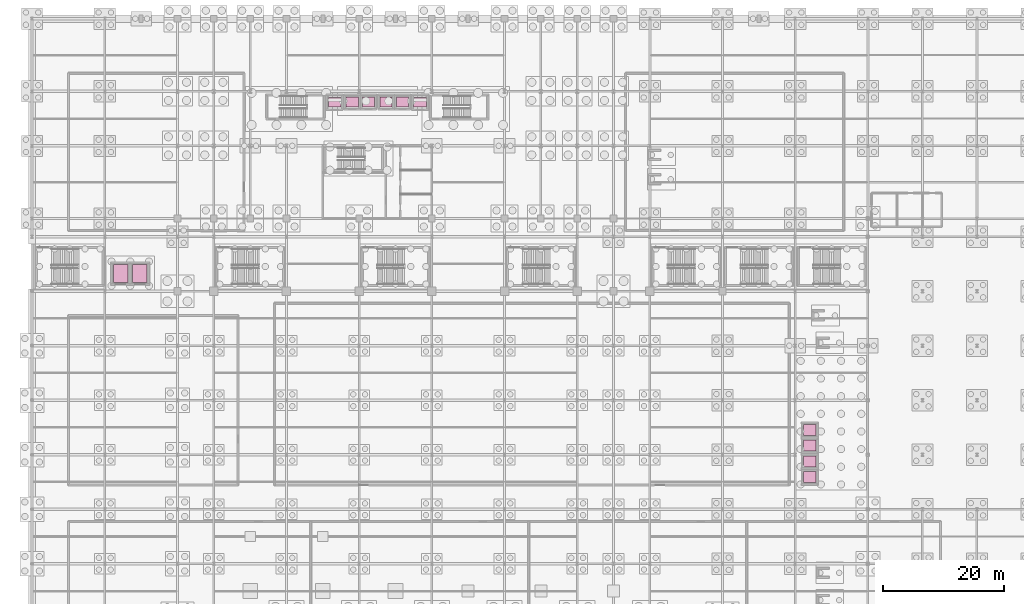
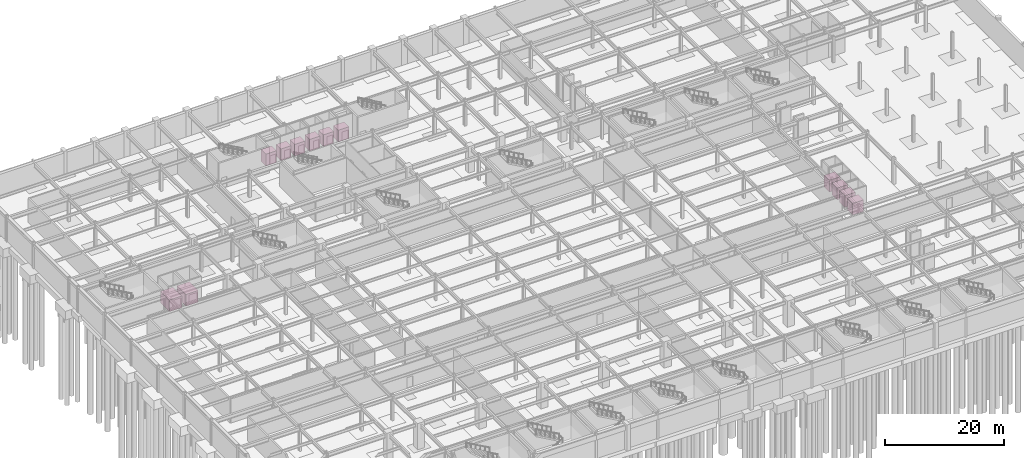
# One storey, part 47 of 47: 12 transport elements.
"""IFC4 building model written with IfcOpenShell, lengths in metres."""

from ifc_helpers import new_model, si_unit, direction, frame, origin, origin_2d, place, context, subcontext, project, spatial, rectangle, extrude, material, type_object, element, save


model = new_model("IFC4")

# Units and contexts
model_context = context("Model", 3, precision=1e-05, world=origin(), true_north=direction((0.0, 1.0)))
body_context = subcontext(model_context, "Body", "Model", "MODEL_VIEW")
ifc_project = project(units=[si_unit("LENGTHUNIT", "METRE"), si_unit("AREAUNIT", "SQUARE_METRE"), si_unit("VOLUMEUNIT", "CUBIC_METRE"), si_unit("PLANEANGLEUNIT", "RADIAN"), si_unit("MASSUNIT", "GRAM", prefix="KILO")], contexts=[model_context])

# Site, building, storey
site_placement = place(None, origin())
site = spatial("IfcSite", under=ifc_project, at=site_placement, CompositionType="ELEMENT")
building_placement = place(site_placement, origin())
building = spatial("IfcBuilding", under=site, at=building_placement, Name="Kaldorvane Square Convention Centre", CompositionType="ELEMENT")
storey_placement = place(building_placement, frame((0.0, 0.0, -5.399993896484375)))
storey = spatial("IfcBuildingStorey", under=building, at=storey_placement, Name="B01", CompositionType="ELEMENT", Elevation=-5.399993896484375)

# Transport elements
ifc_material = material(Name="Stainless Steel Elevator Door Assembly", Category="steel")
transport_element_type_1 = type_object("IfcTransportElementType", Name="EL-CAB-2000X1600", PredefinedType="ELEVATOR", material=ifc_material)
for number, where, name in (
    (1, (52.850006103515625, 103.25, 0.0), "Hotel Passenger Elevator EL-P1"),
    (2, (55.55000305175781, 103.25, 0.0), "Hotel Passenger Elevator EL-P2"),
    (3, (58.44999694824219, 103.25, 0.0), "Hotel Passenger Elevator EL-P3"),
    (4, (61.149993896484375, 103.25, 0.0), "Hotel Passenger Elevator EL-P4"),
):
    element("IfcTransportElement", number, at=place(storey_placement, frame(where)), inside=storey, type_object=transport_element_type_1, Name=name, PredefinedType="ELEVATOR", context=body_context, shape_type="SweptSolid", body=[
        extrude(rectangle(XDim=2.0, YDim=1.600006103515625, at=origin_2d()), origin(), (0.0, 0.0, 1.0), 2.399993896484375),
    ])
transport_element_type_2 = type_object("IfcTransportElementType", Name="EL-CAB-2100X1650", PredefinedType="ELEVATOR", material=ifc_material)
for number, where, name in (
    (5, (49.94999694824219, 103.19999694824219, 0.0), "Fire Service Access Elevator FSAE-01"),
    (6, (64.05000305175781, 103.19999694824219, 0.0), "Fire Service Access Elevator FSAE-02"),
):
    element("IfcTransportElement", number, at=place(storey_placement, frame(where)), inside=storey, type_object=transport_element_type_2, Name=name, PredefinedType="ELEVATOR", context=body_context, shape_type="SweptSolid", body=[
        extrude(rectangle(XDim=2.100006103515625, YDim=1.649993896484375, at=origin_2d()), origin(), (0.0, 0.0, 1.0), 2.399993896484375),
    ])
transport_element_type_3 = type_object("IfcTransportElementType", Name="EL-CAB-2100X1800", PredefinedType="ELEVATOR", material=ifc_material)
for number, where, name in (
    (7, (128.39999389648438, 41.30000305175781, 0.0), "Convention Passenger Elevator EL-C1"),
    (8, (128.39999389648438, 43.899993896484375, 0.0), "Convention Passenger Elevator EL-C2"),
    (9, (128.39999389648438, 46.5, 0.0), "Convention Passenger Elevator EL-C3"),
    (10, (128.39999389648438, 49.100006103515625, 0.0), "Convention Passenger Elevator EL-C4"),
):
    element("IfcTransportElement", number, at=place(storey_placement, frame(where)), inside=storey, type_object=transport_element_type_3, Name=name, PredefinedType="ELEVATOR", context=body_context, shape_type="SweptSolid", body=[
        extrude(rectangle(XDim=2.100006103515625, YDim=1.8000030517578125, at=origin_2d()), origin(), (0.0, 0.0, 1.0), 2.399993896484375),
    ])
transport_element_type_4 = type_object("IfcTransportElementType", Name="EL-CAB-2400X3000", PredefinedType="ELEVATOR", material=ifc_material)
for number, where, name in (
    (11, (14.600006103515625, 74.89999389648438, 0.0), "Freight Elevator EL-G1"),
    (12, (17.800003051757812, 74.89999389648438, 0.0), "Freight Elevator EL-G2"),
):
    element("IfcTransportElement", number, at=place(storey_placement, frame(where)), inside=storey, type_object=transport_element_type_4, Name=name, PredefinedType="ELEVATOR", context=body_context, shape_type="SweptSolid", body=[
        extrude(rectangle(XDim=2.399993896484375, YDim=3.0, at=origin_2d()), origin(), (0.0, 0.0, 1.0), 2.399993896484375),
    ])

save(model, "model.ifc")
